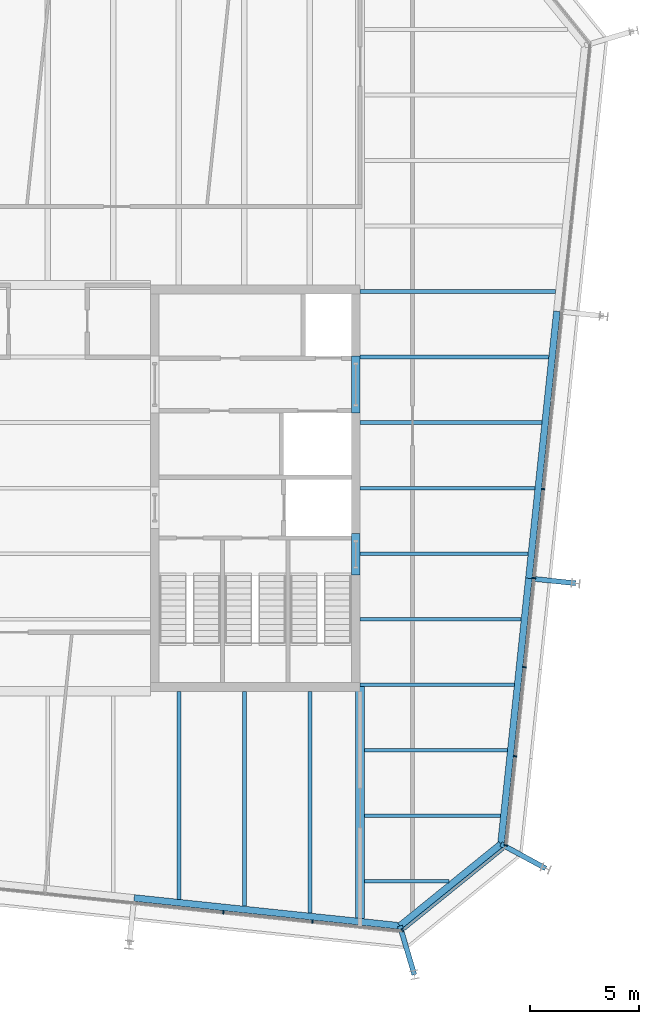
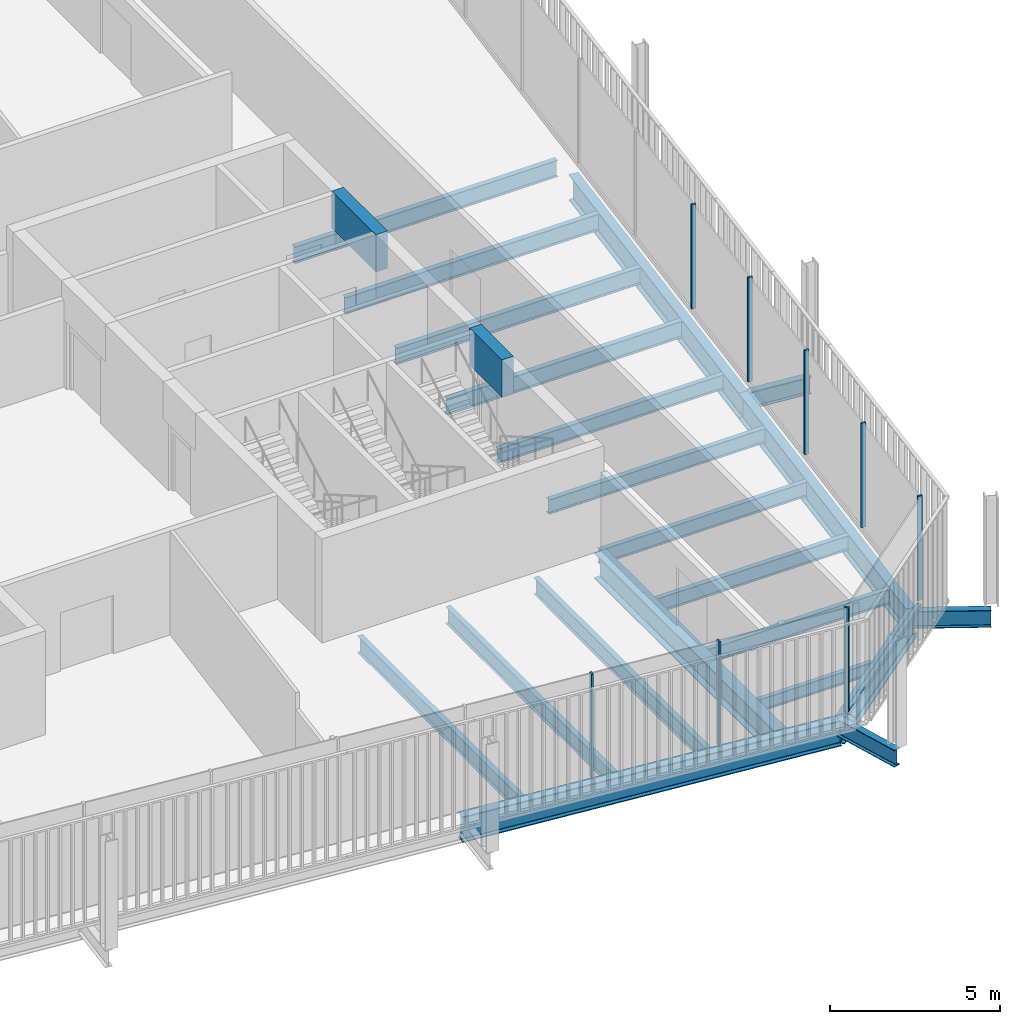
# One storey, part 9 of 20: 23 beams, 9 members, 3 elements without a shape of their own.
"""IFC4 building model written with IfcOpenShell, lengths in metres."""

from ifc_helpers import new_model, si_unit, direction, frame, origin, origin_2d, place, context, subcontext, project, spatial, rectangle, i_section, extrude, material, layer, layer_set, material_profile, profile_set, type_object, element, aggregate, save


model = new_model("IFC4")

# Units and contexts
model_context = context("Model", 3, precision=1e-05, world=origin(), true_north=direction((0.0, 1.0)))
body_context = subcontext(model_context, "Body", "Model", "MODEL_VIEW")
ifc_project = project(units=[si_unit("LENGTHUNIT", "METRE"), si_unit("AREAUNIT", "SQUARE_METRE"), si_unit("VOLUMEUNIT", "CUBIC_METRE"), si_unit("PLANEANGLEUNIT", "RADIAN"), si_unit("MASSUNIT", "GRAM", prefix="KILO")], contexts=[model_context])

# Site, building, storey
site_placement = place(None, origin())
site = spatial("IfcSite", under=ifc_project, at=site_placement, CompositionType="ELEMENT")
building_placement = place(site_placement, origin())
building = spatial("IfcBuilding", under=site, at=building_placement, Name="Millrace Tower", CompositionType="ELEMENT")
storey_placement = place(building_placement, frame((0.0, 0.0, 330.39990234375)))
storey = spatial("IfcBuildingStorey", under=building, at=storey_placement, Name="L76", CompositionType="ELEMENT", Elevation=330.39990234375)

# Curtain wall, members
ifc_material_1 = material(Name="Aluminium and glass", Category="aluminium")
ifc_layer = layer(ifc_material_1, 0.14990234375)
ifc_layer_set = layer_set([ifc_layer], Name="Aluminium and glass")
curtain_wall_type = type_object("IfcCurtainWallType", Name="CW-1 office vision curtain wall", PredefinedType="NOTDEFINED", material=ifc_layer_set)
placement = place(storey_placement, origin())
curtain_wall_1 = element("IfcCurtainWall", 1, at=placement, inside=storey, type_object=curtain_wall_type, Name="Curtain wall E-F02 L76", PredefinedType="NOTDEFINED")
ifc_material_2 = material(Name="Aluminium", Category="aluminium")
ifc_material_profile_1 = material_profile(ifc_material_2, rectangle(XDim=0.06494140625, YDim=0.14990234375, at=origin_2d()))
ifc_profile_set_1 = profile_set([ifc_material_profile_1], Name="Aluminium")
member_type_1 = type_object("IfcMemberType", Name="CW-1 office vision curtain wall mullion", PredefinedType="MULLION", material=ifc_profile_set_1)
member_1_placement = place(storey_placement, frame((8.040283203125, -19.4248046875, 0.14013671875), z_axis=(0.0, 0.0, 1.0), x_axis=(0.994521896217, -0.104528455196, 0.0)))
member_1 = element("IfcMember", 2, at=member_1_placement, type_object=member_type_1, Name="CW1 mullion E-F02.8", PredefinedType="MULLION", context=body_context, shape_type="SweptSolid", body=[
    extrude(rectangle(XDim=0.06494140625, YDim=0.14990234375, at=origin_2d()), origin(), (0.0, 0.0, 1.0), 3.760009765625),
])
member_2_placement = place(storey_placement, frame((12.117919921875, -19.853271484375, 0.14013671875), z_axis=(0.0, 0.0, 1.0), x_axis=(0.994521896217, -0.104528455196, 0.0)))
member_2 = element("IfcMember", 3, at=member_2_placement, type_object=member_type_1, Name="CW1 mullion E-F02.9", PredefinedType="MULLION", context=body_context, shape_type="SweptSolid", body=[
    extrude(rectangle(XDim=0.06494140625, YDim=0.14990234375, at=origin_2d()), origin(), (0.0, 0.0, 1.0), 3.760009765625),
])
aggregate(curtain_wall_1, [member_1, member_2])

# Curtain wall, member
curtain_wall_2 = element("IfcCurtainWall", 4, at=placement, inside=storey, type_object=curtain_wall_type, Name="Curtain wall E-F03 L76", PredefinedType="NOTDEFINED")
member_3_placement = place(storey_placement, frame((16.243408203125, -20.24169921875, 0.14013671875), z_axis=(0.0, 0.0, 1.0), x_axis=(0.777146052237, 0.629320278945, 0.0)))
member_3 = element("IfcMember", 5, at=member_3_placement, type_object=member_type_1, Name="CW1 mullion E-F03.1", PredefinedType="MULLION", context=body_context, shape_type="SweptSolid", body=[
    extrude(rectangle(XDim=0.06494140625, YDim=0.14990234375, at=origin_2d()), origin(), (0.0, 0.0, 1.0), 3.760009765625),
])

# Curtain wall, members
curtain_wall_3 = element("IfcCurtainWall", 6, at=placement, inside=storey, type_object=curtain_wall_type, Name="Curtain wall E-F04 L76", PredefinedType="NOTDEFINED")
member_4_placement = place(storey_placement, frame((20.974853515625, -16.3525390625, 0.14013671875), z_axis=(0.0, 0.0, 1.0), x_axis=(0.104528455196, 0.994521896217, 0.0)))
member_4 = element("IfcMember", 7, at=member_4_placement, type_object=member_type_1, Name="CW1 mullion E-F04.1", PredefinedType="MULLION", context=body_context, shape_type="SweptSolid", body=[
    extrude(rectangle(XDim=0.06494140625, YDim=0.14990234375, at=origin_2d()), origin(), (0.0, 0.0, 1.0), 3.760009765625),
])
member_5_placement = place(storey_placement, frame((21.4033203125, -12.27490234375, 0.14013671875), z_axis=(0.0, 0.0, 1.0), x_axis=(0.104528455196, 0.994521896217, 0.0)))
member_5 = element("IfcMember", 8, at=member_5_placement, type_object=member_type_1, Name="CW1 mullion E-F04.2", PredefinedType="MULLION", context=body_context, shape_type="SweptSolid", body=[
    extrude(rectangle(XDim=0.06494140625, YDim=0.14990234375, at=origin_2d()), origin(), (0.0, 0.0, 1.0), 3.760009765625),
])
member_6_placement = place(storey_placement, frame((21.83203125, -8.197509765625, 0.14013671875), z_axis=(0.0, 0.0, 1.0), x_axis=(0.104528455196, 0.994521896217, 0.0)))
member_6 = element("IfcMember", 9, at=member_6_placement, type_object=member_type_1, Name="CW1 mullion E-F04.3", PredefinedType="MULLION", context=body_context, shape_type="SweptSolid", body=[
    extrude(rectangle(XDim=0.06494140625, YDim=0.14990234375, at=origin_2d()), origin(), (0.0, 0.0, 1.0), 3.760009765625),
])
member_7_placement = place(storey_placement, frame((22.260498046875, -4.119873046875, 0.14013671875), z_axis=(0.0, 0.0, 1.0), x_axis=(0.104528455196, 0.994521896217, 0.0)))
member_7 = element("IfcMember", 10, at=member_7_placement, type_object=member_type_1, Name="CW1 mullion E-F04.4", PredefinedType="MULLION", context=body_context, shape_type="SweptSolid", body=[
    extrude(rectangle(XDim=0.06494140625, YDim=0.14990234375, at=origin_2d()), origin(), (0.0, 0.0, 1.0), 3.760009765625),
])
member_8_placement = place(storey_placement, frame((22.68896484375, -0.042236328125, 0.14013671875), z_axis=(0.0, 0.0, 1.0), x_axis=(0.104528455196, 0.994521896217, 0.0)))
member_8 = element("IfcMember", 11, at=member_8_placement, type_object=member_type_1, Name="CW1 mullion E-F04.5", PredefinedType="MULLION", context=body_context, shape_type="SweptSolid", body=[
    extrude(rectangle(XDim=0.06494140625, YDim=0.14990234375, at=origin_2d()), origin(), (0.0, 0.0, 1.0), 3.760009765625),
])
aggregate(curtain_wall_3, [member_4, member_5, member_6, member_7, member_8])

# Member
ifc_material_3 = material(Name="Aluminium", Category="aluminium")
ifc_material_profile_2 = material_profile(ifc_material_3, rectangle(XDim=0.14990234375, YDim=0.139892578125, at=origin_2d()))
ifc_profile_set_2 = profile_set([ifc_material_profile_2], Name="Aluminium")
member_type_2 = type_object("IfcMemberType", Name="CW-1 office vision curtain wall transom", PredefinedType="USERDEFINED", material=ifc_profile_set_2)
member_9_placement = place(storey_placement, frame((16.2958984375, -20.19921875, 0.070068359375), z_axis=(0.77714915117, 0.629316452061, 0.0), x_axis=(-0.629316452061, 0.77714915117, 0.0)))
member_9 = element("IfcMember", 12, at=member_9_placement, type_object=member_type_2, Name="CW1 transom E-F03.1", ObjectType="TRANSOM", PredefinedType="USERDEFINED", context=body_context, shape_type="SweptSolid", body=[
    extrude(rectangle(XDim=0.14990234375, YDim=0.139892578125, at=origin_2d()), origin(), (0.0, 0.0, 1.0), 5.880859375),
])

aggregate(curtain_wall_2, [member_3, member_9])

# Beams
ifc_material_4 = material(Name="Concrete C60", Category="concrete")
ifc_material_profile_3 = material_profile(ifc_material_4, rectangle(XDim=0.39990234375, YDim=1.340087890625, at=origin_2d()))
ifc_profile_set_3 = profile_set([ifc_material_profile_3], Name="Concrete C60")
beam_type_1 = type_object("IfcBeamType", Name="Coupling beam 400 x 1340 Concrete C60, 1300 opening", PredefinedType="BEAM", material=ifc_profile_set_3)
beam_1_placement = place(storey_placement, frame((14.10009765625, -2.080078125, 3.070068359375), z_axis=(0.0, -1.0, 0.0), x_axis=(1.0, 0.0, 0.0)))
element("IfcBeam", 13, at=beam_1_placement, inside=storey, type_object=beam_type_1, Name="Coupling beam E L76", PredefinedType="BEAM", context=body_context, shape_type="SweptSolid", body=[
    extrude(rectangle(XDim=0.39990234375, YDim=1.340087890625, at=origin_2d()), origin(), (0.0, 0.0, 1.0), 1.89990234375),
])
ifc_material_5 = material(Name="Concrete C60", Category="concrete")
ifc_material_profile_4 = material_profile(ifc_material_5, rectangle(XDim=0.39990234375, YDim=1.340087890625, at=origin_2d()))
ifc_profile_set_4 = profile_set([ifc_material_profile_4], Name="Concrete C60")
beam_type_2 = type_object("IfcBeamType", Name="Coupling beam 400 x 1340 Concrete C60, 2000 opening", PredefinedType="BEAM", material=ifc_profile_set_4)
beam_2_placement = place(storey_placement, frame((14.10009765625, 6.050048828125, 3.070068359375), z_axis=(0.0, -1.0, 0.0), x_axis=(1.0, 0.0, 0.0)))
element("IfcBeam", 14, at=beam_2_placement, inside=storey, type_object=beam_type_2, Name="Coupling beam E L76", PredefinedType="BEAM", context=body_context, shape_type="SweptSolid", body=[
    extrude(rectangle(XDim=0.39990234375, YDim=1.340087890625, at=origin_2d()), origin(), (0.0, 0.0, 1.0), 2.60009765625),
])
ifc_material_6 = material(Name="Steel ASTM A992 Grade 50", Category="steel")
ifc_material_profile_5 = material_profile(ifc_material_6, i_section(OverallWidth=0.15234375, OverallDepth=0.449462890625, WebThickness=0.007568359375, FlangeThickness=0.0107421875, FilletRadius=0.01025390625, at=origin_2d()))
ifc_profile_set_5 = profile_set([ifc_material_profile_5], Name="Steel ASTM A992 Grade 50")
beam_type_3 = type_object("IfcBeamType", Name="Floor beam W18x35", PredefinedType="JOIST", material=ifc_profile_set_5)
beam_3_placement = place(storey_placement, frame((14.509521484375, -18.0, -0.384765625), z_axis=(1.0, 0.0, 0.0), x_axis=(0.0, 1.0, 0.0)))
element("IfcBeam", 15, at=beam_3_placement, inside=storey, type_object=beam_type_3, Name="BM-E-L76-S1-S001", PredefinedType="JOIST", context=body_context, shape_type="SweptSolid", body=[
    extrude(i_section(OverallWidth=0.15234375, OverallDepth=0.449462890625, WebThickness=0.007568359375, FlangeThickness=0.0107421875, FilletRadius=0.01025390625, at=origin_2d()), origin(), (0.0, 0.0, 1.0), 3.87060546875),
])
ifc_material_7 = material(Name="Steel ASTM A992 Grade 50", Category="steel")
ifc_material_profile_6 = material_profile(ifc_material_7, i_section(OverallWidth=0.1650390625, OverallDepth=0.52587890625, WebThickness=0.0087890625, FlangeThickness=0.011474609375, FilletRadius=0.0126953125, at=origin_2d()))
ifc_profile_set_6 = profile_set([ifc_material_profile_6], Name="Steel ASTM A992 Grade 50")
beam_type_4 = type_object("IfcBeamType", Name="Floor beam W21x44", PredefinedType="JOIST", material=ifc_profile_set_6)
beam_4_placement = place(storey_placement, frame((14.509521484375, -15.0, -0.4228515625), z_axis=(1.0, 0.0, 0.0), x_axis=(0.0, 1.0, 0.0)))
element("IfcBeam", 16, at=beam_4_placement, inside=storey, type_object=beam_type_4, Name="BM-E-L76-S1-S003", PredefinedType="JOIST", context=body_context, shape_type="SweptSolid", body=[
    extrude(i_section(OverallWidth=0.1650390625, OverallDepth=0.52587890625, WebThickness=0.0087890625, FlangeThickness=0.011474609375, FilletRadius=0.0126953125, at=origin_2d()), origin(), (0.0, 0.0, 1.0), 6.222900390625),
])
beam_5_placement = place(storey_placement, frame((14.509521484375, -12.0, -0.4228515625), z_axis=(1.0, 0.0, 0.0), x_axis=(0.0, 1.0, 0.0)))
element("IfcBeam", 17, at=beam_5_placement, inside=storey, type_object=beam_type_4, Name="BM-E-L76-S1-S005", PredefinedType="JOIST", context=body_context, shape_type="SweptSolid", body=[
    extrude(i_section(OverallWidth=0.1650390625, OverallDepth=0.52587890625, WebThickness=0.0087890625, FlangeThickness=0.011474609375, FilletRadius=0.0126953125, at=origin_2d()), origin(), (0.0, 0.0, 1.0), 6.538330078125),
])
beam_6_placement = place(storey_placement, frame((14.300048828125, -9.0, -0.4228515625), z_axis=(1.0, 0.0, 0.0), x_axis=(0.0, 1.0, 0.0)))
element("IfcBeam", 18, at=beam_6_placement, inside=storey, type_object=beam_type_4, Name="BM-E-L76-S1-S007", PredefinedType="JOIST", context=body_context, shape_type="SweptSolid", body=[
    extrude(i_section(OverallWidth=0.1650390625, OverallDepth=0.52587890625, WebThickness=0.0087890625, FlangeThickness=0.011474609375, FilletRadius=0.0126953125, at=origin_2d()), origin(), (0.0, 0.0, 1.0), 7.06298828125),
])
beam_7_placement = place(storey_placement, frame((14.300048828125, -6.0, -0.4228515625), z_axis=(1.0, 0.0, 0.0), x_axis=(0.0, 1.0, 0.0)))
element("IfcBeam", 19, at=beam_7_placement, inside=storey, type_object=beam_type_4, Name="BM-E-L76-S1-S010", PredefinedType="JOIST", context=body_context, shape_type="SweptSolid", body=[
    extrude(i_section(OverallWidth=0.1650390625, OverallDepth=0.52587890625, WebThickness=0.0087890625, FlangeThickness=0.011474609375, FilletRadius=0.0126953125, at=origin_2d()), origin(), (0.0, 0.0, 1.0), 7.37841796875),
])
beam_8_placement = place(storey_placement, frame((14.300048828125, -3.0, -0.4228515625), z_axis=(1.0, 0.0, 0.0), x_axis=(0.0, 1.0, 0.0)))
element("IfcBeam", 20, at=beam_8_placement, inside=storey, type_object=beam_type_4, Name="BM-E-L76-S1-S013", PredefinedType="JOIST", context=body_context, shape_type="SweptSolid", body=[
    extrude(i_section(OverallWidth=0.1650390625, OverallDepth=0.52587890625, WebThickness=0.0087890625, FlangeThickness=0.011474609375, FilletRadius=0.0126953125, at=origin_2d()), origin(), (0.0, 0.0, 1.0), 7.693603515625),
])
ifc_material_8 = material(Name="Steel ASTM A992 Grade 50", Category="steel")
ifc_material_profile_7 = material_profile(ifc_material_8, i_section(OverallWidth=0.177978515625, OverallDepth=0.599365234375, WebThickness=0.010009765625, FlangeThickness=0.012939453125, FilletRadius=0.012939453125, at=origin_2d()))
ifc_profile_set_7 = profile_set([ifc_material_profile_7], Name="Steel ASTM A992 Grade 50")
beam_type_5 = type_object("IfcBeamType", Name="Floor beam W24x55", PredefinedType="JOIST", material=ifc_profile_set_7)
beam_9_placement = place(storey_placement, frame((14.300048828125, 0.0, -0.459716796875), z_axis=(1.0, 0.0, 0.0), x_axis=(0.0, 1.0, 0.0)))
element("IfcBeam", 21, at=beam_9_placement, inside=storey, type_object=beam_type_5, Name="BM-E-L76-S1-S016", PredefinedType="JOIST", context=body_context, shape_type="SweptSolid", body=[
    extrude(i_section(OverallWidth=0.177978515625, OverallDepth=0.599365234375, WebThickness=0.010009765625, FlangeThickness=0.012939453125, FilletRadius=0.012939453125, at=origin_2d()), origin(), (0.0, 0.0, 1.0), 8.009033203125),
])
beam_10_placement = place(storey_placement, frame((14.300048828125, 3.0, -0.459716796875), z_axis=(1.0, 0.0, 0.0), x_axis=(0.0, 1.0, 0.0)))
element("IfcBeam", 22, at=beam_10_placement, inside=storey, type_object=beam_type_5, Name="BM-E-L76-S1-S019", PredefinedType="JOIST", context=body_context, shape_type="SweptSolid", body=[
    extrude(i_section(OverallWidth=0.177978515625, OverallDepth=0.599365234375, WebThickness=0.010009765625, FlangeThickness=0.012939453125, FilletRadius=0.012939453125, at=origin_2d()), origin(), (0.0, 0.0, 1.0), 8.324462890625),
])
beam_11_placement = place(storey_placement, frame((14.300048828125, 6.0, -0.459716796875), z_axis=(1.0, 0.0, 0.0), x_axis=(0.0, 1.0, 0.0)))
element("IfcBeam", 23, at=beam_11_placement, inside=storey, type_object=beam_type_5, Name="BM-E-L76-S1-S022", PredefinedType="JOIST", context=body_context, shape_type="SweptSolid", body=[
    extrude(i_section(OverallWidth=0.177978515625, OverallDepth=0.599365234375, WebThickness=0.010009765625, FlangeThickness=0.012939453125, FilletRadius=0.012939453125, at=origin_2d()), origin(), (0.0, 0.0, 1.0), 8.6396484375),
])
beam_12_placement = place(storey_placement, frame((14.300048828125, 9.0, -0.459716796875), z_axis=(1.0, 0.0, 0.0), x_axis=(0.0, 1.0, 0.0)))
element("IfcBeam", 24, at=beam_12_placement, inside=storey, type_object=beam_type_5, Name="BM-E-L76-S1-S024", PredefinedType="JOIST", context=body_context, shape_type="SweptSolid", body=[
    extrude(i_section(OverallWidth=0.177978515625, OverallDepth=0.599365234375, WebThickness=0.010009765625, FlangeThickness=0.012939453125, FilletRadius=0.012939453125, at=origin_2d()), origin(), (0.0, 0.0, 1.0), 8.955078125),
])
beam_13_placement = place(storey_placement, frame((6.0, -18.825927734375, -0.459716796875), z_axis=(0.0, 1.0, 0.0), x_axis=(-1.0, 0.0, 0.0)))
element("IfcBeam", 25, at=beam_13_placement, inside=storey, type_object=beam_type_5, Name="BM-E-L76-S1-S049", PredefinedType="JOIST", context=body_context, shape_type="SweptSolid", body=[
    extrude(i_section(OverallWidth=0.177978515625, OverallDepth=0.599365234375, WebThickness=0.010009765625, FlangeThickness=0.012939453125, FilletRadius=0.012939453125, at=origin_2d()), origin(), (0.0, 0.0, 1.0), 9.52587890625),
])
beam_14_placement = place(storey_placement, frame((9.0, -19.14111328125, -0.459716796875), z_axis=(0.0, 1.0, 0.0), x_axis=(-1.0, 0.0, 0.0)))
element("IfcBeam", 26, at=beam_14_placement, inside=storey, type_object=beam_type_5, Name="BM-E-L76-S1-S051", PredefinedType="JOIST", context=body_context, shape_type="SweptSolid", body=[
    extrude(i_section(OverallWidth=0.177978515625, OverallDepth=0.599365234375, WebThickness=0.010009765625, FlangeThickness=0.012939453125, FilletRadius=0.012939453125, at=origin_2d()), origin(), (0.0, 0.0, 1.0), 9.841064453125),
])
ifc_material_9 = material(Name="Steel ASTM A992 Grade 50", Category="steel")
ifc_material_profile_8 = material_profile(ifc_material_9, i_section(OverallWidth=0.1787109375, OverallDepth=0.60205078125, WebThickness=0.010986328125, FlangeThickness=0.014892578125, FilletRadius=0.0126953125, at=origin_2d()))
ifc_profile_set_8 = profile_set([ifc_material_profile_8], Name="Steel ASTM A992 Grade 50")
beam_type_6 = type_object("IfcBeamType", Name="Floor beam W24x62", PredefinedType="JOIST", material=ifc_profile_set_8)
beam_15_placement = place(storey_placement, frame((12.0, -19.45654296875, -0.4609375), z_axis=(0.0, 1.0, 0.0), x_axis=(-1.0, 0.0, 0.0)))
element("IfcBeam", 27, at=beam_15_placement, inside=storey, type_object=beam_type_6, Name="BM-E-L76-S1-S053", PredefinedType="JOIST", context=body_context, shape_type="SweptSolid", body=[
    extrude(i_section(OverallWidth=0.1787109375, OverallDepth=0.60205078125, WebThickness=0.010986328125, FlangeThickness=0.014892578125, FilletRadius=0.0126953125, at=origin_2d()), origin(), (0.0, 0.0, 1.0), 10.156494140625),
])
ifc_material_10 = material(Name="Steel ASTM A992 Grade 50", Category="steel")
ifc_material_profile_9 = material_profile(ifc_material_10, i_section(OverallWidth=0.419189453125, OverallDepth=0.927001953125, WebThickness=0.019287109375, FlangeThickness=0.031982421875, FilletRadius=0.024169921875, at=origin_2d()))
ifc_profile_set_9 = profile_set([ifc_material_profile_9], Name="Steel ASTM A992 Grade 50")
beam_type_7 = type_object("IfcBeamType", Name="Girder short span W36x231", PredefinedType="BEAM", material=ifc_profile_set_9)
beam_16_placement = place(storey_placement, frame((14.300048828125, -19.6982421875, -0.62353515625), z_axis=(0.0, 1.0, 0.0), x_axis=(-1.0, 0.0, 0.0)))
element("IfcBeam", 28, at=beam_16_placement, inside=storey, type_object=beam_type_7, Name="BM-E-L76-S1-G057", PredefinedType="BEAM", context=body_context, shape_type="SweptSolid", body=[
    extrude(i_section(OverallWidth=0.419189453125, OverallDepth=0.927001953125, WebThickness=0.019287109375, FlangeThickness=0.031982421875, FilletRadius=0.024169921875, at=origin_2d()), origin(), (0.0, 0.0, 1.0), 10.6142578125),
])
ifc_material_11 = material(Name="Steel ASTM A992 Grade 50", Category="steel")
ifc_material_profile_10 = material_profile(ifc_material_11, i_section(OverallWidth=0.23046875, OverallDepth=0.6171875, WebThickness=0.01318359375, FlangeThickness=0.022216796875, FilletRadius=0.012939453125, at=origin_2d()))
ifc_profile_set_10 = profile_set([ifc_material_profile_10], Name="Steel ASTM A992 Grade 50")
beam_type_8 = type_object("IfcBeamType", Name="Link beam W24x94", PredefinedType="BEAM", material=ifc_profile_set_10)
beam_17_placement = place(storey_placement, frame((22.1826171875, -4.144287109375, -0.468505859375), z_axis=(0.99452550138, -0.104494148666, 0.0), x_axis=(0.104494148666, 0.99452550138, 0.0)))
element("IfcBeam", 29, at=beam_17_placement, inside=storey, type_object=beam_type_8, Name="LNK-E-L76-S1-11", PredefinedType="BEAM", context=body_context, shape_type="SweptSolid", body=[
    extrude(i_section(OverallWidth=0.23046875, OverallDepth=0.6171875, WebThickness=0.01318359375, FlangeThickness=0.022216796875, FilletRadius=0.012939453125, at=origin_2d()), origin(), (0.0, 0.0, 1.0), 2.0),
])
for number, where, z_axis, x_axis, name in (
    (30, (20.750732421875, -16.297607421875, -0.468505859375), (0.87881453358, -0.477163510307, 0.0), (0.477163510307, 0.87881453358, 0.0), "LNK-E-L76-S1-12"),
    (31, (16.123779296875, -20.04443359375, -0.468505859375), (0.283934988541, -0.958843533785, 0.0), (0.958843533785, 0.283934988541, 0.0), "LNK-E-L76-S1-13"),
):
    element("IfcBeam", number, at=place(storey_placement, frame(where, z_axis=z_axis, x_axis=x_axis)), inside=storey, type_object=beam_type_8, Name=name, PredefinedType="BEAM", context=body_context, shape_type="SweptSolid", body=[
        extrude(i_section(OverallWidth=0.23046875, OverallDepth=0.6171875, WebThickness=0.01318359375, FlangeThickness=0.022216796875, FilletRadius=0.012939453125, at=origin_2d()), origin(), (0.0, 0.0, 1.0), 2.3310546875),
    ])
ifc_material_12 = material(Name="Steel ASTM A992 Grade 50", Category="steel")
ifc_material_profile_11 = material_profile(ifc_material_12, i_section(OverallWidth=0.307373046875, OverallDepth=0.927001953125, WebThickness=0.01953125, FlangeThickness=0.031982421875, FilletRadius=0.01904296875, at=origin_2d()))
ifc_profile_set_11 = profile_set([ifc_material_profile_11], Name="Steel ASTM A992 Grade 50")
beam_type_9 = type_object("IfcBeamType", Name="Ring beam medium span W36x194", PredefinedType="SPANDREL", material=ifc_profile_set_11)
beam_18_placement = place(storey_placement, frame((23.3154296875, 8.104248046875, -0.62353515625), z_axis=(-0.10452566363, -0.994522189618, 0.0), x_axis=(0.994522189618, -0.10452566363, 0.0)))
element("IfcBeam", 32, at=beam_18_placement, inside=storey, type_object=beam_type_9, Name="RNG-E-L76-S1-10", PredefinedType="SPANDREL", context=body_context, shape_type="SweptSolid", body=[
    extrude(i_section(OverallWidth=0.307373046875, OverallDepth=0.927001953125, WebThickness=0.01953125, FlangeThickness=0.031982421875, FilletRadius=0.01904296875, at=origin_2d()), origin(), (0.0, 0.0, 1.0), 12.2998046875),
])
for number, where, z_axis, x_axis, name in (
    (33, (22.02978515625, -4.128173828125, -0.62353515625), (-0.104527955888, -0.994521948696, 0.0), (0.994521948696, -0.104527955888, 0.0), "RNG-E-L76-S1-11"),
    (34, (16.123779296875, -20.04443359375, -0.62353515625), (-0.994521948696, 0.104527955888, 0.0), (-0.104527955888, -0.994521948696, 0.0), "RNG-E-L76-S1-13"),
):
    element("IfcBeam", number, at=place(storey_placement, frame(where, z_axis=z_axis, x_axis=x_axis)), inside=storey, type_object=beam_type_9, Name=name, PredefinedType="SPANDREL", context=body_context, shape_type="SweptSolid", body=[
        extrude(i_section(OverallWidth=0.307373046875, OverallDepth=0.927001953125, WebThickness=0.01953125, FlangeThickness=0.031982421875, FilletRadius=0.01904296875, at=origin_2d()), origin(), (0.0, 0.0, 1.0), 12.236572265625),
    ])
ifc_material_13 = material(Name="Steel ASTM A992 Grade 50", Category="steel")
ifc_material_profile_12 = material_profile(ifc_material_13, i_section(OverallWidth=0.307373046875, OverallDepth=0.927001953125, WebThickness=0.01953125, FlangeThickness=0.031982421875, FilletRadius=0.01904296875, at=origin_2d()))
ifc_profile_set_12 = profile_set([ifc_material_profile_12], Name="Steel ASTM A992 Grade 50")
beam_type_10 = type_object("IfcBeamType", Name="Ring beam short span W36x194", PredefinedType="SPANDREL", material=ifc_profile_set_12)
beam_19_placement = place(storey_placement, frame((20.750732421875, -16.297607421875, -0.62353515625), z_axis=(-0.777146502883, -0.629319722443, 0.0), x_axis=(0.629319722443, -0.777146502883, 0.0)))
element("IfcBeam", 35, at=beam_19_placement, inside=storey, type_object=beam_type_10, Name="RNG-E-L76-S1-12", PredefinedType="SPANDREL", context=body_context, shape_type="SweptSolid", body=[
    extrude(i_section(OverallWidth=0.307373046875, OverallDepth=0.927001953125, WebThickness=0.01953125, FlangeThickness=0.031982421875, FilletRadius=0.01904296875, at=origin_2d()), origin(), (0.0, 0.0, 1.0), 5.953857421875),
])

save(model, "model.ifc")
